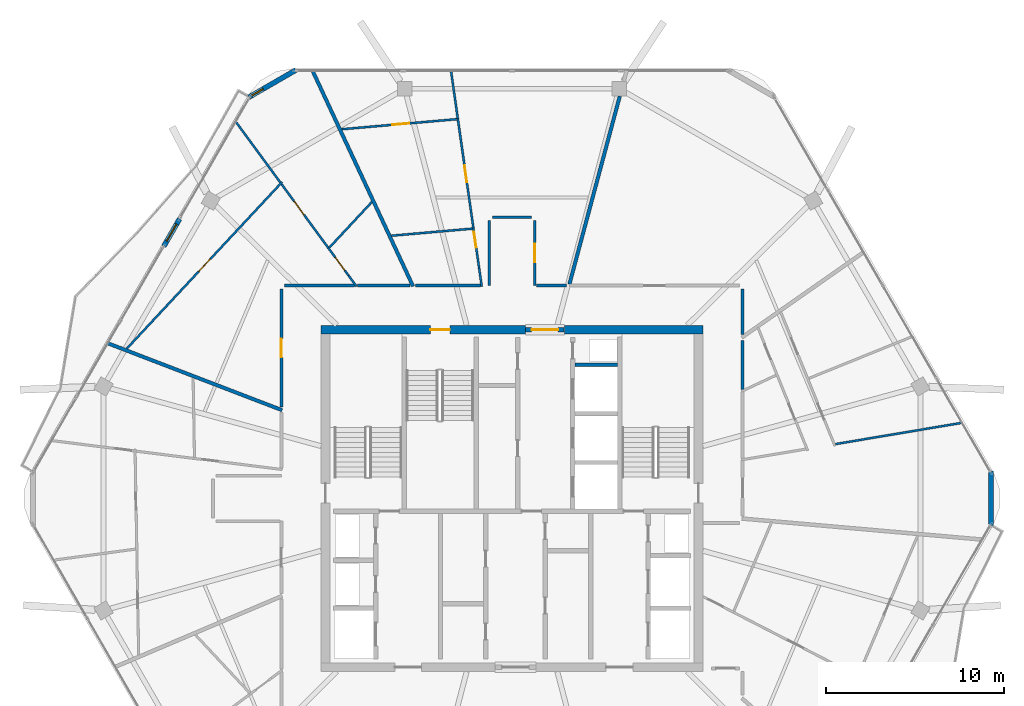
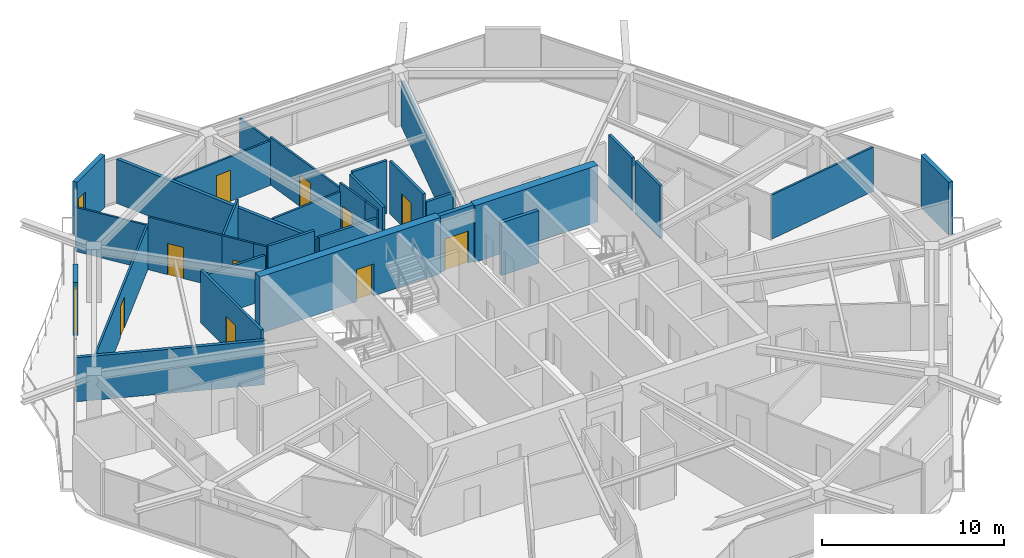
# One storey, part 15 of 19: 33 walls, 11 doors, 1 window, 12 openings.
"""IFC4 building model written with IfcOpenShell, lengths in metres."""

from ifc_helpers import new_model, si_unit, direction, frame, frame_2d, origin, place, context, subcontext, project, spatial, rectangle, extrude, material, layer, layer_set, type_object, element, fill, save


model = new_model("IFC4")

# Units and contexts
model_context = context("Model", 3, precision=1e-05, world=origin(), true_north=direction((0.0, 1.0)))
body_context = subcontext(model_context, "Body", "Model", "MODEL_VIEW")
ifc_project = project(units=[si_unit("LENGTHUNIT", "METRE"), si_unit("AREAUNIT", "SQUARE_METRE"), si_unit("VOLUMEUNIT", "CUBIC_METRE"), si_unit("PLANEANGLEUNIT", "RADIAN"), si_unit("MASSUNIT", "GRAM", prefix="KILO")], contexts=[model_context])

# Site, building, storey
site_placement = place(None, origin())
site = spatial("IfcSite", under=ifc_project, at=site_placement, CompositionType="ELEMENT")
building_placement = place(site_placement, origin())
building = spatial("IfcBuilding", under=site, at=building_placement, Name="Zuhravey Tower", CompositionType="ELEMENT")
storey_placement = place(building_placement, frame((0.0, 0.0, 327.199951171875)))
storey = spatial("IfcBuildingStorey", under=building, at=storey_placement, Name="L83", CompositionType="ELEMENT", Elevation=327.199951171875)

# Wall
ifc_material_1 = material(Name="Concrete C50/60", Category="concrete")
ifc_layer_1 = layer(ifc_material_1, 0.5)
ifc_layer_set_1 = layer_set([ifc_layer_1], Name="Concrete C50/60")
wall_type_1 = type_object("IfcWallType", Name="Core Shear Wall 500", PredefinedType="SHEAR", material=ifc_layer_set_1)
wall_1_placement = place(storey_placement, frame((46.75, 41.5, 0.0), z_axis=(0.0, 0.0, 1.0), x_axis=(-1.0, 0.0, 0.0)))
element("IfcWall", 1, at=wall_1_placement, inside=storey, type_object=wall_type_1, Name="L83 North-East Core Shear Wall CW50", PredefinedType="SHEAR", context=body_context, shape_type="SweptSolid", body=[
    extrude(rectangle(XDim=7.800048828125, YDim=0.5, at=frame_2d((3.89990234375, 0.0))), origin(), (0.0, 0.0, 1.0), 3.800048828125),
])

# Wall, opening, door
wall_2_placement = place(storey_placement, frame((36.75, 41.5, 0.0), z_axis=(0.0, 0.0, 1.0), x_axis=(-1.0, 0.0, 0.0)))
wall_2 = element("IfcWall", 2, at=wall_2_placement, inside=storey, type_object=wall_type_1, Name="L83 North-West Core Shear Wall CW50", PredefinedType="SHEAR", context=body_context, shape_type="SweptSolid", body=[
    extrude(rectangle(XDim=11.5, YDim=0.5, at=frame_2d((5.75, 0.0))), origin(), (0.0, 0.0, 1.0), 3.800048828125),
])
opening_1_placement = place(wall_2_placement, frame((4.25, 0.0, 0.0)))
opening_1 = element("IfcOpeningElement", 3, at=opening_1_placement, cuts=wall_2, Name="Opening STD1", PredefinedType="OPENING", context=body_context, shape_type="SweptSolid", body=[
    extrude(rectangle(XDim=1.10009765625, YDim=2.14990234375, at=frame_2d((0.550048828125, 1.074951171875))), frame((0.0, 0.261962890625, 0.0), z_axis=(0.0, -1.0, 0.0), x_axis=(1.0, 0.0, 0.0)), (0.0, 0.0, 1.0), 0.52392578125),
])
ifc_material_2 = material(Name="Galvanised fire-rated steel leaf", Category="steel")
door_type_1 = type_object("IfcDoorType", Name="Protected Stair Fire Door 1100x2150", OperationType="NOTDEFINED", PredefinedType="USERDEFINED", material=ifc_material_2)
door_1_placement = place(opening_1_placement, origin())
door_1 = element("IfcDoor", 4, at=door_1_placement, inside=storey, type_object=door_type_1, Name="L83 Stair ST3 Door", ObjectType="EXITDOOR", OperationType="SINGLE_SWING_LEFT", OverallHeight=2.14990234375, OverallWidth=1.10009765625, PredefinedType="USERDEFINED", context=body_context, shape_type="SweptSolid", body=[
    extrude(rectangle(XDim=1.10009765625, YDim=2.14990234375, at=frame_2d((0.550048828125, 1.074951171875))), frame((0.0, 0.02490234375, 0.0), z_axis=(0.0, -1.0, 0.0), x_axis=(1.0, 0.0, 0.0)), (0.0, 0.0, 1.0), 0.050048828125),
])
fill(opening_1, door_1)

ifc_material_3 = material(Name="Gypsum fire-rated stud partition")
ifc_layer_2 = layer(ifc_material_3, 0.159912109375)
ifc_layer_set_2 = layer_set([ifc_layer_2], Name="Gypsum fire-rated stud partition")
wall_type_2 = type_object("IfcWallType", Name="Corridor Fire Partition 160", PredefinedType="PARTITIONING", material=ifc_layer_set_2)
wall_3_placement = place(storey_placement, frame((23.02001953125, 43.800048828125, 0.0), z_axis=(0.0, 0.0, 1.0), x_axis=(0.0, -1.0, 0.0)))
wall_3 = element("IfcWall", 5, at=wall_3_placement, inside=storey, type_object=wall_type_2, Name="L83 IW16 Partition 025", PredefinedType="PARTITIONING", context=body_context, shape_type="SweptSolid", body=[
    extrude(rectangle(XDim=6.66552734375, YDim=0.159912109375, at=frame_2d((3.332763671875, 0.0))), origin(), (0.0, 0.0, 1.0), 3.550048828125),
])
opening_2_placement = place(wall_3_placement, frame((2.8076171875, 0.0, 0.0)))
opening_2 = element("IfcOpeningElement", 6, at=opening_2_placement, cuts=wall_3, Name="Opening APD1", PredefinedType="OPENING", context=body_context, shape_type="SweptSolid", body=[
    extrude(rectangle(XDim=1.050048828125, YDim=2.14990234375, at=frame_2d((0.52490234375, 1.074951171875))), frame((0.0, 0.092041015625, 0.0), z_axis=(0.0, -1.0, 0.0), x_axis=(1.0, 0.0, 0.0)), (0.0, 0.0, 1.0), 0.183837890625),
])
ifc_material_4 = material(Name="Solid-core oak fire-rated leaf")
door_type_2 = type_object("IfcDoorType", Name="Apartment Entrance Fire Door 1050x2150", OperationType="NOTDEFINED", PredefinedType="DOOR", material=ifc_material_4)
door_2_placement = place(opening_2_placement, frame((1.050048828125, 0.0, 0.0), z_axis=(0.0, 0.0, 1.0), x_axis=(-1.0, 0.0, 0.0)))
door_2 = element("IfcDoor", 7, at=door_2_placement, inside=storey, type_object=door_type_2, Name="L83 Door 025.1", OperationType="SINGLE_SWING_RIGHT", OverallHeight=2.14990234375, OverallWidth=1.050048828125, PredefinedType="DOOR", context=body_context, shape_type="SweptSolid", body=[
    extrude(rectangle(XDim=1.050048828125, YDim=2.14990234375, at=frame_2d((0.52490234375, 1.074951171875))), frame((0.0, 0.02490234375, 0.0), z_axis=(0.0, -1.0, 0.0), x_axis=(1.0, 0.0, 0.0)), (0.0, 0.0, 1.0), 0.050048828125),
])
fill(opening_2, door_2)

wall_4_placement = place(storey_placement, frame((37.280029296875, 43.97998046875, 0.0), z_axis=(0.0, 0.0, 1.0), x_axis=(0.0, 1.0, 0.0)))
wall_4 = element("IfcWall", 8, at=wall_4_placement, inside=storey, type_object=wall_type_2, Name="L83 IW16 Partition 055", PredefinedType="PARTITIONING", context=body_context, shape_type="SweptSolid", body=[
    extrude(rectangle(XDim=3.669921875, YDim=0.159912109375, at=frame_2d((1.8349609375, 0.0))), origin(), (0.0, 0.0, 1.0), 3.550048828125),
])
opening_3_placement = place(wall_4_placement, frame((1.31005859375, 0.0, 0.0)))
opening_3 = element("IfcOpeningElement", 9, at=opening_3_placement, cuts=wall_4, Name="Opening APD1", PredefinedType="OPENING", context=body_context, shape_type="SweptSolid", body=[
    extrude(rectangle(XDim=1.050048828125, YDim=2.14990234375, at=frame_2d((0.52490234375, 1.074951171875))), frame((0.0, 0.092041015625, 0.0), z_axis=(0.0, -1.0, 0.0), x_axis=(1.0, 0.0, 0.0)), (0.0, 0.0, 1.0), 0.183837890625),
])
door_3_placement = place(opening_3_placement, origin())
door_3 = element("IfcDoor", 10, at=door_3_placement, inside=storey, type_object=door_type_2, Name="L83 Door 055.1", OperationType="SINGLE_SWING_RIGHT", OverallHeight=2.14990234375, OverallWidth=1.050048828125, PredefinedType="DOOR", context=body_context, shape_type="SweptSolid", body=[
    extrude(rectangle(XDim=1.050048828125, YDim=2.14990234375, at=frame_2d((0.52490234375, 1.074951171875))), frame((0.0, 0.02490234375, 0.0), z_axis=(0.0, -1.0, 0.0), x_axis=(1.0, 0.0, 0.0)), (0.0, 0.0, 1.0), 0.050048828125),
])
fill(opening_3, door_3)

# Walls
wall_5_placement = place(storey_placement, frame((27.131591796875, 43.97998046875, 0.0), z_axis=(0.0, 0.0, 1.0), x_axis=(-1.0, 0.0, 0.0)))
element("IfcWall", 11, at=wall_5_placement, inside=storey, type_object=wall_type_2, Name="L83 IW16 Partition 093", PredefinedType="PARTITIONING", context=body_context, shape_type="SweptSolid", body=[
    extrude(rectangle(XDim=3.931640625, YDim=0.159912109375, at=frame_2d((1.9658203125, 0.0))), origin(), (0.0, 0.0, 1.0), 3.0),
])
wall_6_placement = place(storey_placement, frame((30.263671875, 43.97998046875, 0.0), z_axis=(0.0, 0.0, 1.0), x_axis=(-1.0, 0.0, 0.0)))
element("IfcWall", 12, at=wall_6_placement, inside=storey, type_object=wall_type_2, Name="L83 IW16 Partition 094", PredefinedType="PARTITIONING", context=body_context, shape_type="SweptSolid", body=[
    extrude(rectangle(XDim=2.96337890625, YDim=0.159912109375, at=frame_2d((1.481689453125, 0.0))), origin(), (0.0, 0.0, 1.0), 3.550048828125),
])
wall_7_placement = place(storey_placement, frame((48.97998046875, 38.1318359375, 0.0), z_axis=(0.0, 0.0, 1.0), x_axis=(0.0, 1.0, 0.0)))
element("IfcWall", 13, at=wall_7_placement, inside=storey, type_object=wall_type_2, Name="L83 IW16 Partition 110", PredefinedType="PARTITIONING", context=body_context, shape_type="SweptSolid", body=[
    extrude(rectangle(XDim=2.7646484375, YDim=0.159912109375, at=frame_2d((1.38232421875, 0.0))), origin(), (0.0, 0.0, 1.0), 3.550048828125),
])
wall_8_placement = place(storey_placement, frame((48.97998046875, 41.220703125, 0.0), z_axis=(0.0, 0.0, 1.0), x_axis=(0.0, 1.0, 0.0)))
element("IfcWall", 14, at=wall_8_placement, inside=storey, type_object=wall_type_2, Name="L83 IW16 Partition 111", PredefinedType="PARTITIONING", context=body_context, shape_type="SweptSolid", body=[
    extrude(rectangle(XDim=2.579345703125, YDim=0.159912109375, at=frame_2d((1.28955078125, 0.0))), origin(), (0.0, 0.0, 1.0), 3.550048828125),
])
wall_9_placement = place(storey_placement, frame((34.719970703125, 47.64990234375, 0.0), z_axis=(0.0, 0.0, 1.0), x_axis=(0.0, -1.0, 0.0)))
element("IfcWall", 15, at=wall_9_placement, inside=storey, type_object=wall_type_2, Name="L83 IW16 Partition 112", PredefinedType="PARTITIONING", context=body_context, shape_type="SweptSolid", body=[
    extrude(rectangle(XDim=3.669921875, YDim=0.159912109375, at=frame_2d((1.8349609375, 0.0))), origin(), (0.0, 0.0, 1.0), 3.550048828125),
])
wall_10_placement = place(storey_placement, frame((37.10009765625, 47.830078125, 0.0), z_axis=(0.0, 0.0, 1.0), x_axis=(-1.0, 0.0, 0.0)))
element("IfcWall", 16, at=wall_10_placement, inside=storey, type_object=wall_type_2, Name="L83 IW16 Partition 113", PredefinedType="PARTITIONING", context=body_context, shape_type="SweptSolid", body=[
    extrude(rectangle(XDim=2.2001953125, YDim=0.159912109375, at=frame_2d((1.10009765625, 0.0))), origin(), (0.0, 0.0, 1.0), 3.550048828125),
])
wall_11_placement = place(storey_placement, frame((39.07763671875, 43.97998046875, 0.0), z_axis=(0.0, 0.0, 1.0), x_axis=(-1.0, 0.0, 0.0)))
element("IfcWall", 17, at=wall_11_placement, inside=storey, type_object=wall_type_2, Name="L83 IW16 Partition 114", PredefinedType="PARTITIONING", context=body_context, shape_type="SweptSolid", body=[
    extrude(rectangle(XDim=1.709716796875, YDim=0.159912109375, at=frame_2d((0.85498046875, 0.0))), origin(), (0.0, 0.0, 1.0), 3.0),
])
wall_12_placement = place(storey_placement, frame((34.221923828125, 43.97998046875, 0.0), z_axis=(0.0, 0.0, 1.0), x_axis=(-1.0, 0.0, 0.0)))
element("IfcWall", 18, at=wall_12_placement, inside=storey, type_object=wall_type_2, Name="L83 IW16 Partition 115", PredefinedType="PARTITIONING", context=body_context, shape_type="SweptSolid", body=[
    extrude(rectangle(XDim=3.659423828125, YDim=0.159912109375, at=frame_2d((1.82958984375, 0.0))), origin(), (0.0, 0.0, 1.0), 3.0),
])

# Wall, opening, door
ifc_material_5 = material(Name="Precast concrete C40/50", Category="concrete")
ifc_layer_3 = layer(ifc_material_5, 0.280029296875)
ifc_layer_set_3 = layer_set([ifc_layer_3], Name="Precast concrete C40/50")
wall_type_3 = type_object("IfcWallType", Name="Crown Architectural Wall 280", PredefinedType="SOLIDWALL", material=ifc_layer_set_3)
wall_13_placement = place(storey_placement, frame((16.394775390625, 46.19091796875, 0.0), z_axis=(0.0, 0.0, 1.0), x_axis=(0.499982180423, 0.866035691677, 0.0)))
wall_13 = element("IfcWall", 19, at=wall_13_placement, inside=storey, type_object=wall_type_3, Name="L83 Face 3 Facade Pier EW28-1", PredefinedType="SOLIDWALL", context=body_context, shape_type="SweptSolid", body=[
    extrude(rectangle(XDim=1.7900390625, YDim=0.280029296875, at=frame_2d((0.89501953125, 0.0))), origin(), (0.0, 0.0, 1.0), 3.550048828125),
])
opening_4_placement = place(wall_13_placement, frame((0.344970703125, 0.0, 0.0)))
opening_4 = element("IfcOpeningElement", 20, at=opening_4_placement, cuts=wall_13, Name="Opening BLD1", PredefinedType="OPENING", context=body_context, shape_type="SweptSolid", body=[
    extrude(rectangle(XDim=1.10009765625, YDim=2.199951171875, at=frame_2d((0.550048828125, 1.10009765625))), frame((0.0, 0.152099609375, 0.0), z_axis=(0.0, -1.0, 0.0), x_axis=(1.0, 0.0, 0.0)), (0.0, 0.0, 1.0), 0.303955078125),
])
ifc_material_6 = material(Name="Thermally broken aluminium and low-E glass", Category="aluminium")
door_type_3 = type_object("IfcDoorType", Name="Balcony & Sky-Tray Glazed Door 1100x2200", OperationType="NOTDEFINED", PredefinedType="DOOR", material=ifc_material_6)
door_4_placement = place(opening_4_placement, frame((1.10009765625, 0.0, 0.0), z_axis=(0.0, 0.0, 1.0), x_axis=(-1.0, 0.0, 0.0)))
door_4 = element("IfcDoor", 21, at=door_4_placement, inside=storey, type_object=door_type_3, Name="L83 Face 3 Wave Balcony Door", OperationType="SINGLE_SWING_RIGHT", OverallHeight=2.199951171875, OverallWidth=1.10009765625, PredefinedType="DOOR", context=body_context, shape_type="SweptSolid", body=[
    extrude(rectangle(XDim=1.10009765625, YDim=2.199951171875, at=frame_2d((0.550048828125, 1.10009765625))), frame((0.0, 0.02490234375, 0.0), z_axis=(0.0, -1.0, 0.0), x_axis=(1.0, 0.0, 0.0)), (0.0, 0.0, 1.0), 0.050048828125),
])
fill(opening_4, door_4)

# Wall, opening, window
wall_14_placement = place(storey_placement, frame((21.188720703125, 54.589111328125, 0.0), z_axis=(0.0, 0.0, 1.0), x_axis=(0.866023752521, 0.50000286006, 0.0)))
wall_14 = element("IfcWall", 22, at=wall_14_placement, inside=storey, type_object=wall_type_3, Name="L83 Rounded Corner Closure Wall EW28-08", PredefinedType="SOLIDWALL", context=body_context, shape_type="SweptSolid", body=[
    extrude(rectangle(XDim=3.06494140625, YDim=0.280029296875, at=frame_2d((1.532470703125, 0.0))), origin(), (0.0, 0.0, 1.0), 3.550048828125),
])
opening_5_placement = place(wall_14_placement, frame((0.1728515625, 0.0, 0.85009765625)))
opening_5 = element("IfcOpeningElement", 23, at=opening_5_placement, cuts=wall_14, Name="Opening WN5", PredefinedType="OPENING", context=body_context, shape_type="SweptSolid", body=[
    extrude(rectangle(XDim=0.75, YDim=1.5, at=frame_2d((0.375, 0.75))), frame((0.0, 0.152099609375, 0.0), z_axis=(0.0, -1.0, 0.0), x_axis=(1.0, 0.0, 0.0)), (0.0, 0.0, 1.0), 0.303955078125),
])
ifc_material_7 = material(Name="Thermally broken aluminium and triple low-E glass", Category="aluminium")
window_type = type_object("IfcWindowType", Name="Residential Corner Casement Window 750x1500", PartitioningType="SINGLE_PANEL", PredefinedType="WINDOW", material=ifc_material_7)
window_placement = place(opening_5_placement, origin())
window = element("IfcWindow", 24, at=window_placement, inside=storey, type_object=window_type, Name="L83 Corner Casement Window WN5-08.1", OverallHeight=1.5, OverallWidth=0.75, PartitioningType="SINGLE_PANEL", PredefinedType="WINDOW", context=body_context, shape_type="SweptSolid", body=[
    extrude(rectangle(XDim=0.75, YDim=1.5, at=frame_2d((0.375, 0.75))), frame((0.0, 0.030029296875, 0.0), z_axis=(0.0, -1.0, 0.0), x_axis=(1.0, 0.0, 0.0)), (0.0, 0.0, 1.0), 0.06005859375),
])
fill(opening_5, window)

# Wall
wall_15_placement = place(storey_placement, frame((62.968505859375, 33.532470703125, 0.0), z_axis=(0.0, 0.0, 1.0), x_axis=(0.0, -1.0, 0.0)))
element("IfcWall", 25, at=wall_15_placement, inside=storey, type_object=wall_type_3, Name="L83 Rounded Corner Closure Wall EW28-12", PredefinedType="SOLIDWALL", context=body_context, shape_type="SweptSolid", body=[
    extrude(rectangle(XDim=3.06494140625, YDim=0.280029296875, at=frame_2d((1.532470703125, 0.0))), origin(), (0.0, 0.0, 1.0), 3.550048828125),
])

# Wall, opening, door
ifc_layer_4 = layer(ifc_material_1, 0.25)
ifc_layer_set_4 = layer_set([ifc_layer_4], Name="Concrete C50/60")
wall_type_4 = type_object("IfcWallType", Name="Firefighting Shaft & Stair Wall 250", PredefinedType="SOLIDWALL", material=ifc_layer_set_4)
wall_16_placement = place(storey_placement, frame((36.760009765625, 41.5, 0.0), z_axis=(0.0, 0.0, 1.0), x_axis=(1.0, 0.0, 0.0)))
wall_16 = element("IfcWall", 26, at=wall_16_placement, inside=storey, type_object=wall_type_4, Name="L83 FW25 Shaft Wall 002", PredefinedType="SOLIDWALL", context=body_context, shape_type="SweptSolid", body=[
    extrude(rectangle(XDim=2.179931640625, YDim=0.25, at=frame_2d((1.08984375, 0.0))), origin(), (0.0, 0.0, 1.0), 3.800048828125),
])
opening_6_placement = place(wall_16_placement, frame((0.340087890625, 0.0, 0.0)))
opening_6 = element("IfcOpeningElement", 27, at=opening_6_placement, cuts=wall_16, Name="Opening FFD1", PredefinedType="OPENING", context=body_context, shape_type="SweptSolid", body=[
    extrude(rectangle(XDim=1.5, YDim=2.14990234375, at=frame_2d((0.75, 1.074951171875))), frame((0.0, 0.136962890625, 0.0), z_axis=(0.0, -1.0, 0.0), x_axis=(1.0, 0.0, 0.0)), (0.0, 0.0, 1.0), 0.27392578125),
])
door_type_4 = type_object("IfcDoorType", Name="Firefighting Lobby Double Door 1500x2150", OperationType="DOUBLE_DOOR_SINGLE_SWING", PredefinedType="DOOR", material=ifc_material_2)
door_5_placement = place(opening_6_placement, origin())
door_5 = element("IfcDoor", 28, at=door_5_placement, inside=storey, type_object=door_type_4, Name="L83 North Lift Lobby Exit Door", OperationType="DOUBLE_DOOR_SINGLE_SWING", OverallHeight=2.14990234375, OverallWidth=1.5, PredefinedType="DOOR", context=body_context, shape_type="SweptSolid", body=[
    extrude(rectangle(XDim=1.5, YDim=2.14990234375, at=frame_2d((0.75, 1.074951171875))), frame((0.0, 0.02490234375, 0.0), z_axis=(0.0, -1.0, 0.0), x_axis=(1.0, 0.0, 0.0)), (0.0, 0.0, 1.0), 0.050048828125),
])
fill(opening_6, door_5)

# Walls
ifc_material_8 = material(Name="Gypsum double-stud party assembly")
ifc_layer_5 = layer(ifc_material_8, 0.199951171875)
ifc_layer_set_5 = layer_set([ifc_layer_5], Name="Gypsum double-stud party assembly")
wall_type_5 = type_object("IfcWallType", Name="Inter-Tenancy Party Wall 200", PredefinedType="PARTITIONING", material=ifc_layer_set_5)
wall_17_placement = place(storey_placement, frame((30.432373046875, 43.93994140625, 0.0), z_axis=(0.0, 0.0, 1.0), x_axis=(-0.422611922644, 0.906310742979, 0.0)))
element("IfcWall", 29, at=wall_17_placement, inside=storey, type_object=wall_type_5, Name="L83 IW20 Partition 060", PredefinedType="PARTITIONING", context=body_context, shape_type="SweptSolid", body=[
    extrude(rectangle(XDim=13.388671875, YDim=0.199951171875, at=frame_2d((6.6943359375, 0.0))), origin(), (0.0, 0.0, 1.0), 2.969970703125),
])
wall_18_placement = place(storey_placement, frame((23.06005859375, 36.96728515625, 0.0), z_axis=(0.0, 0.0, 1.0), x_axis=(-0.933584200724, 0.358358117194, 0.0)))
element("IfcWall", 30, at=wall_18_placement, inside=storey, type_object=wall_type_5, Name="L83 IW20 Partition 063", PredefinedType="PARTITIONING", context=body_context, shape_type="SweptSolid", body=[
    extrude(rectangle(XDim=10.513427734375, YDim=0.199951171875, at=frame_2d((5.2568359375, 0.0))), origin(), (0.0, 0.0, 1.0), 2.969970703125),
])
wall_19_placement = place(storey_placement, frame((39.233642578125, 44.068115234375, 0.0), z_axis=(0.0, 0.0, 1.0), x_axis=(0.258812989646, 0.965927448823, 0.0)))
element("IfcWall", 31, at=wall_19_placement, inside=storey, type_object=wall_type_5, Name="L83 IW20 Partition 088", PredefinedType="PARTITIONING", context=body_context, shape_type="SweptSolid", body=[
    extrude(rectangle(XDim=10.948974609375, YDim=0.199951171875, at=frame_2d((5.474609375, 0.0))), origin(), (0.0, 0.0, 1.0), 3.0),
])
ifc_material_9 = material(Name="Gypsum acoustic stud assembly")
ifc_layer_6 = layer(ifc_material_9, 0.219970703125)
ifc_layer_set_6 = layer_set([ifc_layer_6], Name="Gypsum acoustic stud assembly")
wall_type_6 = type_object("IfcWallType", Name="School Acoustic Compartment Wall 220", PredefinedType="PARTITIONING", material=ifc_layer_set_6)
wall_20_placement = place(storey_placement, frame((39.55810546875, 39.52490234375, 0.0), z_axis=(0.0, 0.0, 1.0), x_axis=(1.0, 0.0, 0.0)))
element("IfcWall", 32, at=wall_20_placement, inside=storey, type_object=wall_type_6, Name="L83 IW22 Partition 059", PredefinedType="PARTITIONING", context=body_context, shape_type="SweptSolid", body=[
    extrude(rectangle(XDim=2.3837890625, YDim=0.219970703125, at=frame_2d((1.19189453125, 0.0))), origin(), (0.0, 0.0, 1.0), 3.550048828125),
])

# Wall, opening, door
ifc_material_10 = material(Name="Gypsum metal-stud partition")
ifc_layer_7 = layer(ifc_material_10, 0.1201171875)
ifc_layer_set_7 = layer_set([ifc_layer_7], Name="Gypsum metal-stud partition")
wall_type_7 = type_object("IfcWallType", Name="Unit Internal Partition 120", PredefinedType="PARTITIONING", material=ifc_layer_set_7)
wall_21_placement = place(storey_placement, frame((23.0615234375, 49.81494140625, 0.0), z_axis=(0.0, 0.0, 1.0), x_axis=(-0.681996709379, -0.731355240903, 0.0)))
wall_21 = element("IfcWall", 33, at=wall_21_placement, inside=storey, type_object=wall_type_7, Name="L83 IW12 Partition 021", PredefinedType="PARTITIONING", context=body_context, shape_type="SweptSolid", body=[
    extrude(rectangle(XDim=12.82568359375, YDim=0.1201171875, at=frame_2d((6.412841796875, 0.0))), origin(), (0.0, 0.0, 1.0), 2.969970703125),
])
opening_7_placement = place(wall_21_placement, frame((5.93798828125, 0.0, 0.0)))
opening_7 = element("IfcOpeningElement", 34, at=opening_7_placement, cuts=wall_21, Name="Opening IND1", PredefinedType="OPENING", context=body_context, shape_type="SweptSolid", body=[
    extrude(rectangle(XDim=0.949951171875, YDim=2.10009765625, at=frame_2d((0.47509765625, 1.050048828125))), frame((0.0, 0.072021484375, 0.0), z_axis=(0.0, -1.0, 0.0), x_axis=(1.0, 0.0, 0.0)), (0.0, 0.0, 1.0), 0.14404296875),
])
ifc_material_11 = material(Name="Painted engineered timber leaf", Category="wood")
door_type_5 = type_object("IfcDoorType", Name="Internal Room & Bedroom Door 950x2100", OperationType="NOTDEFINED", PredefinedType="DOOR", material=ifc_material_11)
door_6_placement = place(opening_7_placement, frame((0.949951171875, 0.0, 0.0), z_axis=(0.0, 0.0, 1.0), x_axis=(-1.0, 0.0, 0.0)))
door_6 = element("IfcDoor", 35, at=door_6_placement, inside=storey, type_object=door_type_5, Name="Apartment L83-01 Family Study Door", OperationType="SINGLE_SWING_LEFT", OverallHeight=2.10009765625, OverallWidth=0.949951171875, PredefinedType="DOOR", context=body_context, shape_type="SweptSolid", body=[
    extrude(rectangle(XDim=0.949951171875, YDim=2.10009765625, at=frame_2d((0.47509765625, 1.050048828125))), frame((0.0, 0.02490234375, 0.0), z_axis=(0.0, -1.0, 0.0), x_axis=(1.0, 0.0, 0.0)), (0.0, 0.0, 1.0), 0.050048828125),
])
fill(opening_7, door_6)

wall_22_placement = place(storey_placement, frame((26.798095703125, 44.550048828125, 0.0), z_axis=(0.0, 0.0, 1.0), x_axis=(-0.591341620245, 0.80642116054, 0.0)))
wall_22 = element("IfcWall", 36, at=wall_22_placement, inside=storey, type_object=wall_type_7, Name="L83 IW12 Partition 022", PredefinedType="PARTITIONING", context=body_context, shape_type="SweptSolid", body=[
    extrude(rectangle(XDim=1.920654296875, YDim=0.1201171875, at=frame_2d((0.96044921875, 0.0))), origin(), (0.0, 0.0, 1.0), 3.550048828125),
])
opening_8_placement = place(wall_22_placement, frame((0.356689453125, 0.0, 0.0)))
opening_8 = element("IfcOpeningElement", 37, at=opening_8_placement, cuts=wall_22, Name="Opening WCD1", PredefinedType="OPENING", context=body_context, shape_type="SweptSolid", body=[
    extrude(rectangle(XDim=0.89990234375, YDim=2.10009765625, at=frame_2d((0.449951171875, 1.050048828125))), frame((0.0, 0.072021484375, 0.0), z_axis=(0.0, -1.0, 0.0), x_axis=(1.0, 0.0, 0.0)), (0.0, 0.0, 1.0), 0.14404296875),
])
ifc_material_12 = material(Name="Moisture-resistant timber leaf", Category="wood")
door_type_6 = type_object("IfcDoorType", Name="Bathroom & WC Internal Door 900x2100", OperationType="NOTDEFINED", PredefinedType="DOOR", material=ifc_material_12)
door_7_placement = place(opening_8_placement, frame((0.89990234375, 0.0, 0.0), z_axis=(0.0, 0.0, 1.0), x_axis=(-1.0, 0.0, 0.0)))
door_7 = element("IfcDoor", 38, at=door_7_placement, inside=storey, type_object=door_type_6, Name="Apartment L83-01 Bathroom Door", OperationType="SINGLE_SWING_RIGHT", OverallHeight=2.10009765625, OverallWidth=0.89990234375, PredefinedType="DOOR", context=body_context, shape_type="SweptSolid", body=[
    extrude(rectangle(XDim=0.89990234375, YDim=2.10009765625, at=frame_2d((0.449951171875, 1.050048828125))), frame((0.0, 0.02490234375, 0.0), z_axis=(0.0, -1.0, 0.0), x_axis=(1.0, 0.0, 0.0)), (0.0, 0.0, 1.0), 0.050048828125),
])
fill(opening_8, door_7)

wall_23_placement = place(storey_placement, frame((25.662353515625, 46.098876953125, 0.0), z_axis=(0.0, 0.0, 1.0), x_axis=(-0.591311292855, 0.806443398474, 0.0)))
wall_23 = element("IfcWall", 39, at=wall_23_placement, inside=storey, type_object=wall_type_7, Name="L83 IW12 Partition 023", PredefinedType="PARTITIONING", context=body_context, shape_type="SweptSolid", body=[
    extrude(rectangle(XDim=4.4462890625, YDim=0.1201171875, at=frame_2d((2.22314453125, 0.0))), origin(), (0.0, 0.0, 1.0), 3.550048828125),
])
opening_9_placement = place(wall_23_placement, frame((2.314453125, 0.0, 0.0)))
opening_9 = element("IfcOpeningElement", 40, at=opening_9_placement, cuts=wall_23, Name="Opening IND1", PredefinedType="OPENING", context=body_context, shape_type="SweptSolid", body=[
    extrude(rectangle(XDim=0.949951171875, YDim=2.10009765625, at=frame_2d((0.47509765625, 1.050048828125))), frame((0.0, 0.072021484375, 0.0), z_axis=(0.0, -1.0, 0.0), x_axis=(1.0, 0.0, 0.0)), (0.0, 0.0, 1.0), 0.14404296875),
])
door_8_placement = place(opening_9_placement, frame((0.949951171875, 0.0, 0.0), z_axis=(0.0, 0.0, 1.0), x_axis=(-1.0, 0.0, 0.0)))
door_8 = element("IfcDoor", 41, at=door_8_placement, inside=storey, type_object=door_type_5, Name="Apartment L83-01 Bedroom 1 Door", OperationType="SINGLE_SWING_LEFT", OverallHeight=2.10009765625, OverallWidth=0.949951171875, PredefinedType="DOOR", context=body_context, shape_type="SweptSolid", body=[
    extrude(rectangle(XDim=0.949951171875, YDim=2.10009765625, at=frame_2d((0.47509765625, 1.050048828125))), frame((0.0, 0.02490234375, 0.0), z_axis=(0.0, -1.0, 0.0), x_axis=(1.0, 0.0, 0.0)), (0.0, 0.0, 1.0), 0.050048828125),
])
fill(opening_9, door_8)

# Wall
wall_24_placement = place(storey_placement, frame((22.951171875, 49.796142578125, 0.0), z_axis=(0.0, 0.0, 1.0), x_axis=(-0.591303744842, 0.806448932875, 0.0)))
element("IfcWall", 42, at=wall_24_placement, inside=storey, type_object=wall_type_7, Name="L83 IW12 Partition 024", PredefinedType="PARTITIONING", context=body_context, shape_type="SweptSolid", body=[
    extrude(rectangle(XDim=4.239501953125, YDim=0.1201171875, at=frame_2d((2.11962890625, 0.0))), origin(), (0.0, 0.0, 1.0), 2.969970703125),
])

# Wall, opening, door
wall_25_placement = place(storey_placement, frame((34.14990234375, 44.96630859375, 0.0), z_axis=(0.0, 0.0, 1.0), x_axis=(-0.141196039745, 0.989981655568, 0.0)))
wall_25 = element("IfcWall", 43, at=wall_25_placement, inside=storey, type_object=wall_type_7, Name="L83 IW12 Partition 052", PredefinedType="PARTITIONING", context=body_context, shape_type="SweptSolid", body=[
    extrude(rectangle(XDim=2.275390625, YDim=0.1201171875, at=frame_2d((1.1376953125, 0.0))), origin(), (0.0, 0.0, 1.0), 3.550048828125),
])
opening_10_placement = place(wall_25_placement, frame((1.17529296875, 0.0, 0.0)))
opening_10 = element("IfcOpeningElement", 44, at=opening_10_placement, cuts=wall_25, Name="Opening WCD1", PredefinedType="OPENING", context=body_context, shape_type="SweptSolid", body=[
    extrude(rectangle(XDim=0.89990234375, YDim=2.10009765625, at=frame_2d((0.449951171875, 1.050048828125))), frame((0.0, 0.072021484375, 0.0), z_axis=(0.0, -1.0, 0.0), x_axis=(1.0, 0.0, 0.0)), (0.0, 0.0, 1.0), 0.14404296875),
])
door_9_placement = place(opening_10_placement, origin())
door_9 = element("IfcDoor", 45, at=door_9_placement, inside=storey, type_object=door_type_6, Name="Apartment L83-09 Bathroom Door", OperationType="SINGLE_SWING_LEFT", OverallHeight=2.10009765625, OverallWidth=0.89990234375, PredefinedType="DOOR", context=body_context, shape_type="SweptSolid", body=[
    extrude(rectangle(XDim=0.89990234375, YDim=2.10009765625, at=frame_2d((0.449951171875, 1.050048828125))), frame((0.0, 0.02490234375, 0.0), z_axis=(0.0, -1.0, 0.0), x_axis=(1.0, 0.0, 0.0)), (0.0, 0.0, 1.0), 0.050048828125),
])
fill(opening_10, door_9)

wall_26_placement = place(storey_placement, frame((33.82861328125, 47.218994140625, 0.0), z_axis=(0.0, 0.0, 1.0), x_axis=(-0.141245630481, 0.989974581426, 0.0)))
wall_26 = element("IfcWall", 46, at=wall_26_placement, inside=storey, type_object=wall_type_7, Name="L83 IW12 Partition 053", PredefinedType="PARTITIONING", context=body_context, shape_type="SweptSolid", body=[
    extrude(rectangle(XDim=6.224365234375, YDim=0.1201171875, at=frame_2d((3.1123046875, 0.0))), origin(), (0.0, 0.0, 1.0), 3.199951171875),
])
opening_11_placement = place(wall_26_placement, frame((2.612060546875, 0.0, 0.0)))
opening_11 = element("IfcOpeningElement", 47, at=opening_11_placement, cuts=wall_26, Name="Opening IND1", PredefinedType="OPENING", context=body_context, shape_type="SweptSolid", body=[
    extrude(rectangle(XDim=0.949951171875, YDim=2.10009765625, at=frame_2d((0.47509765625, 1.050048828125))), frame((0.0, 0.072021484375, 0.0), z_axis=(0.0, -1.0, 0.0), x_axis=(1.0, 0.0, 0.0)), (0.0, 0.0, 1.0), 0.14404296875),
])
door_10_placement = place(opening_11_placement, origin())
door_10 = element("IfcDoor", 48, at=door_10_placement, inside=storey, type_object=door_type_5, Name="Apartment L83-09 Home Office Door", OperationType="SINGLE_SWING_RIGHT", OverallHeight=2.10009765625, OverallWidth=0.949951171875, PredefinedType="DOOR", context=body_context, shape_type="SweptSolid", body=[
    extrude(rectangle(XDim=0.949951171875, YDim=2.10009765625, at=frame_2d((0.47509765625, 1.050048828125))), frame((0.0, 0.02490234375, 0.0), z_axis=(0.0, -1.0, 0.0), x_axis=(1.0, 0.0, 0.0)), (0.0, 0.0, 1.0), 0.050048828125),
])
fill(opening_11, door_10)

wall_27_placement = place(storey_placement, frame((32.885009765625, 53.35009765625, 0.0), z_axis=(0.0, 0.0, 1.0), x_axis=(-0.996192737693, -0.087178147311, 0.0)))
wall_27 = element("IfcWall", 49, at=wall_27_placement, inside=storey, type_object=wall_type_7, Name="L83 IW12 Partition 054", PredefinedType="PARTITIONING", context=body_context, shape_type="SweptSolid", body=[
    extrude(rectangle(XDim=6.491455078125, YDim=0.1201171875, at=frame_2d((3.24560546875, 0.0))), origin(), (0.0, 0.0, 1.0), 3.0),
])
opening_12_placement = place(wall_27_placement, frame((2.6865234375, 0.0, 0.0)))
opening_12 = element("IfcOpeningElement", 50, at=opening_12_placement, cuts=wall_27, Name="Opening IND1", PredefinedType="OPENING", context=body_context, shape_type="SweptSolid", body=[
    extrude(rectangle(XDim=0.949951171875, YDim=2.10009765625, at=frame_2d((0.47509765625, 1.050048828125))), frame((0.0, 0.072021484375, 0.0), z_axis=(0.0, -1.0, 0.0), x_axis=(1.0, 0.0, 0.0)), (0.0, 0.0, 1.0), 0.14404296875),
])
door_11_placement = place(opening_12_placement, frame((0.949951171875, 0.0, 0.0), z_axis=(0.0, 0.0, 1.0), x_axis=(-1.0, 0.0, 0.0)))
door_11 = element("IfcDoor", 51, at=door_11_placement, inside=storey, type_object=door_type_5, Name="Apartment L83-09 Bedroom 1 Door", OperationType="SINGLE_SWING_LEFT", OverallHeight=2.10009765625, OverallWidth=0.949951171875, PredefinedType="DOOR", context=body_context, shape_type="SweptSolid", body=[
    extrude(rectangle(XDim=0.949951171875, YDim=2.10009765625, at=frame_2d((0.47509765625, 1.050048828125))), frame((0.0, 0.02490234375, 0.0), z_axis=(0.0, -1.0, 0.0), x_axis=(1.0, 0.0, 0.0)), (0.0, 0.0, 1.0), 0.050048828125),
])
fill(opening_12, door_11)

# Walls
wall_28_placement = place(storey_placement, frame((27.248779296875, 43.93505859375, 0.0), z_axis=(0.0, 0.0, 1.0), x_axis=(-0.591099878677, 0.806598371824, 0.0)))
element("IfcWall", 52, at=wall_28_placement, inside=storey, type_object=wall_type_7, Name="L83 IW12 Partition 061", PredefinedType="PARTITIONING", context=body_context, shape_type="SweptSolid", body=[
    extrude(rectangle(XDim=0.762451171875, YDim=0.1201171875, at=frame_2d((0.38134765625, 0.0))), origin(), (0.0, 0.0, 1.0), 3.550048828125),
])
wall_29_placement = place(storey_placement, frame((28.10302734375, 48.6796875, 0.0), z_axis=(0.0, 0.0, 1.0), x_axis=(-0.681964001054, -0.731385740404, 0.0)))
element("IfcWall", 53, at=wall_29_placement, inside=storey, type_object=wall_type_7, Name="L83 IW12 Partition 062", PredefinedType="PARTITIONING", context=body_context, shape_type="SweptSolid", body=[
    extrude(rectangle(XDim=3.487548828125, YDim=0.1201171875, at=frame_2d((1.74365234375, 0.0))), origin(), (0.0, 0.0, 1.0), 3.550048828125),
])
wall_30_placement = place(storey_placement, frame((54.209716796875, 35.060302734375, 0.0), z_axis=(0.0, 0.0, 1.0), x_axis=(0.986169680344, 0.165738835432, 0.0)))
element("IfcWall", 54, at=wall_30_placement, inside=storey, type_object=wall_type_7, Name="L83 IW12 Partition 086", PredefinedType="PARTITIONING", context=body_context, shape_type="SweptSolid", body=[
    extrude(rectangle(XDim=7.238525390625, YDim=0.1201171875, at=frame_2d((3.619140625, 0.0))), origin(), (0.0, 0.0, 1.0), 2.969970703125),
])
wall_31_placement = place(storey_placement, frame((34.297119140625, 43.935302734375, 0.0), z_axis=(0.0, 0.0, 1.0), x_axis=(-0.141355718114, 0.989958868316, 0.0)))
element("IfcWall", 55, at=wall_31_placement, inside=storey, type_object=wall_type_7, Name="L83 IW12 Partition 090", PredefinedType="PARTITIONING", context=body_context, shape_type="SweptSolid", body=[
    extrude(rectangle(XDim=1.04150390625, YDim=0.1201171875, at=frame_2d((0.520751953125, 0.0))), origin(), (0.0, 0.0, 1.0), 3.550048828125),
])
wall_32_placement = place(storey_placement, frame((32.949462890625, 53.380859375, 0.0), z_axis=(0.0, 0.0, 1.0), x_axis=(-0.141258329488, 0.989972769499, 0.0)))
element("IfcWall", 56, at=wall_32_placement, inside=storey, type_object=wall_type_7, Name="L83 IW12 Partition 091", PredefinedType="PARTITIONING", context=body_context, shape_type="SweptSolid", body=[
    extrude(rectangle(XDim=2.7255859375, YDim=0.1201171875, at=frame_2d((1.36279296875, 0.0))), origin(), (0.0, 0.0, 1.0), 2.969970703125),
])
wall_33_placement = place(storey_placement, frame((33.764404296875, 47.18798828125, 0.0), z_axis=(0.0, 0.0, 1.0), x_axis=(-0.996198075211, -0.087117133479, 0.0)))
element("IfcWall", 57, at=wall_33_placement, inside=storey, type_object=wall_type_7, Name="L83 IW12 Partition 092", PredefinedType="PARTITIONING", context=body_context, shape_type="SweptSolid", body=[
    extrude(rectangle(XDim=4.5595703125, YDim=0.1201171875, at=frame_2d((2.27978515625, 0.0))), origin(), (0.0, 0.0, 1.0), 3.0),
])

save(model, "model.ifc")
